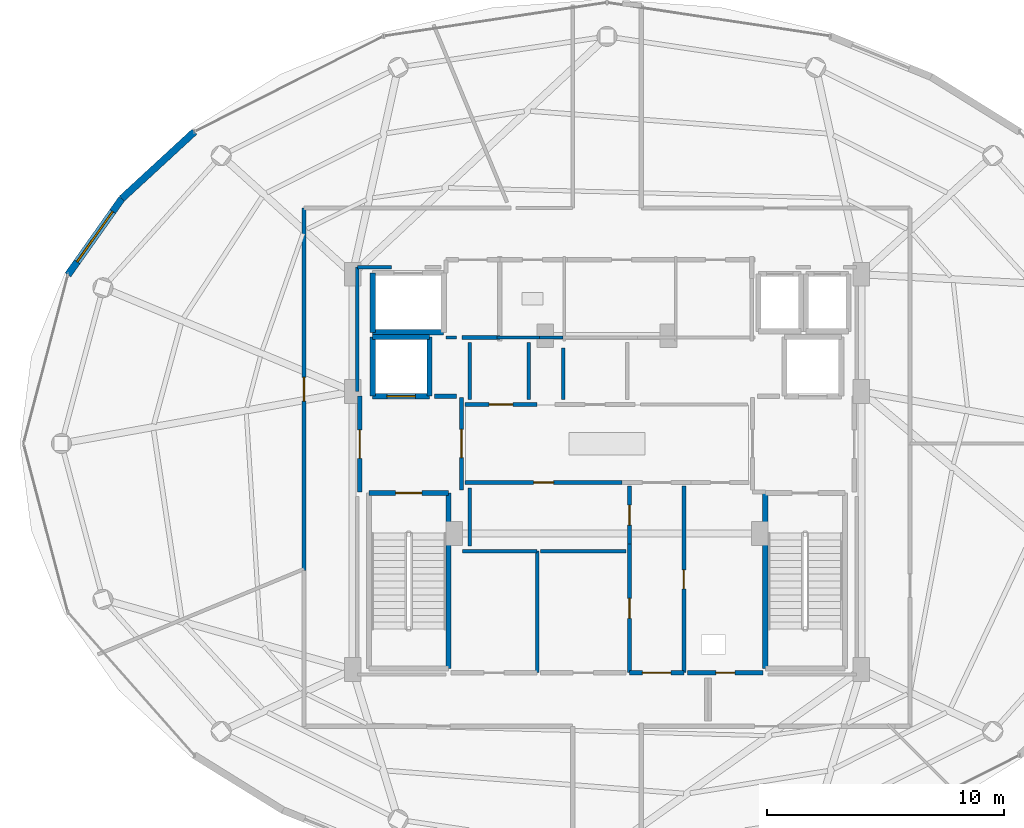
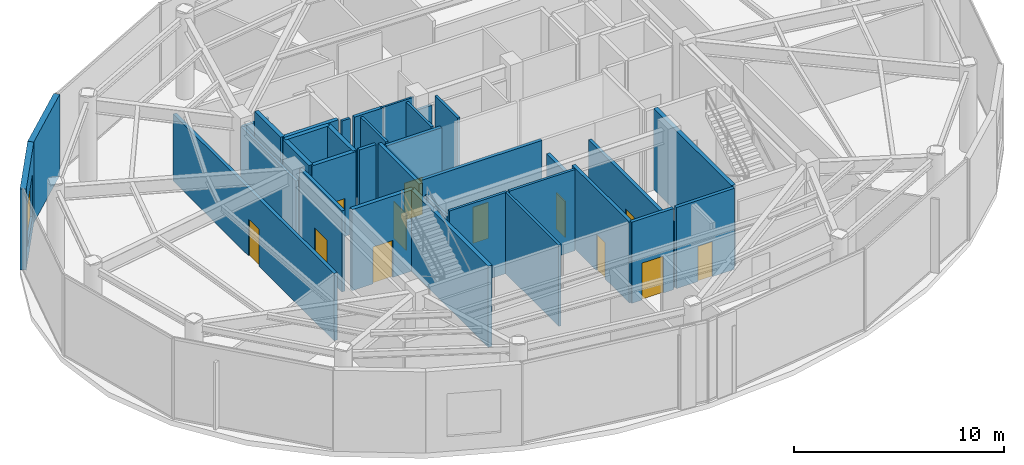
# One storey, part 20 of 24: 35 walls, 12 doors, 1 window, 13 openings.
"""IFC4 building model written with IfcOpenShell, lengths in metres."""

from ifc_helpers import new_model, si_unit, direction, frame, frame_2d, origin, place, context, subcontext, project, spatial, rectangle, extrude, material, layer, layer_set, type_object, element, fill, save


model = new_model("IFC4")

# Units and contexts
model_context = context("Model", 3, precision=1e-05, world=origin(), true_north=direction((0.0, 1.0)))
body_context = subcontext(model_context, "Body", "Model", "MODEL_VIEW")
ifc_project = project(units=[si_unit("LENGTHUNIT", "METRE"), si_unit("AREAUNIT", "SQUARE_METRE"), si_unit("VOLUMEUNIT", "CUBIC_METRE"), si_unit("PLANEANGLEUNIT", "RADIAN"), si_unit("MASSUNIT", "GRAM", prefix="KILO")], contexts=[model_context])

# Site, building, storey
site_placement = place(None, origin())
site = spatial("IfcSite", under=ifc_project, at=site_placement, CompositionType="ELEMENT")
building_placement = place(site_placement, origin())
building = spatial("IfcBuilding", under=site, at=building_placement, Name="Vorneva Point Tower", CompositionType="ELEMENT")
storey_placement = place(building_placement, frame((0.0, 0.0, 290.39990234375)))
storey = spatial("IfcBuildingStorey", under=building, at=storey_placement, Name="L78", CompositionType="ELEMENT", Elevation=290.39990234375)

# Wall, opening, door
ifc_material_1 = material(Name="Concrete B60 (C50/60)", Category="concrete")
ifc_layer_1 = layer(ifc_material_1, 0.35009765625)
ifc_layer_set_1 = layer_set([ifc_layer_1], Name="Concrete B60 (C50/60)")
wall_type_1 = type_object("IfcWallType", Name="WL-CORE-350", PredefinedType="SHEAR", material=ifc_layer_set_1)
wall_1_placement = place(storey_placement, frame((28.10009765625, 28.0, 0.0), z_axis=(0.0, 0.0, 1.0), x_axis=(1.0, 0.0, 0.0)))
wall_1 = element("IfcWall", 1, at=wall_1_placement, inside=storey, type_object=wall_type_1, Name="L78 Lift FFL1 Shaft Wall -Y", PredefinedType="SHEAR", context=body_context, shape_type="SweptSolid", body=[
    extrude(rectangle(XDim=2.39990234375, YDim=0.219970703125, at=frame_2d((1.199951171875, 0.0))), origin(), (0.0, 0.0, 1.0), 4.72021484375),
])
opening_1_placement = place(wall_1_placement, frame((0.60009765625, 0.0, 0.0)))
opening_1 = element("IfcOpeningElement", 2, at=opening_1_placement, cuts=wall_1, Name="Opening LD-02", PredefinedType="OPENING", context=body_context, shape_type="SweptSolid", body=[
    extrude(rectangle(XDim=1.199951171875, YDim=2.199951171875, at=frame_2d((0.60009765625, 1.10009765625))), frame((0.0, 0.125, 0.0), z_axis=(0.0, -1.0, 0.0), x_axis=(1.0, 0.0, 0.0)), (0.0, 0.0, 1.0), 0.249755859375),
])
ifc_material_2 = material(Name="Brushed stainless steel S304", Category="steel")
door_type_1 = type_object("IfcDoorType", Name="LD-FIRE-1200", OperationType="SLIDING_TO_LEFT", PredefinedType="DOOR", material=ifc_material_2)
door_1_placement = place(opening_1_placement, origin())
door_1 = element("IfcDoor", 3, at=door_1_placement, inside=storey, type_object=door_type_1, Name="L78 Lift FFL1 Sliding Landing Door", OperationType="SLIDING_TO_LEFT", OverallHeight=2.199951171875, OverallWidth=1.199951171875, PredefinedType="DOOR", context=body_context, shape_type="SweptSolid", body=[
    extrude(rectangle(XDim=1.199951171875, YDim=2.199951171875, at=frame_2d((0.60009765625, 1.10009765625))), frame((0.0, 0.02490234375, 0.0), z_axis=(0.0, -1.0, 0.0), x_axis=(1.0, 0.0, 0.0)), (0.0, 0.0, 1.0), 0.050048828125),
])
fill(opening_1, door_1)

# Walls
wall_2_placement = place(storey_placement, frame((30.5, 28.0, 0.0), z_axis=(0.0, 0.0, 1.0), x_axis=(0.0, 1.0, 0.0)))
element("IfcWall", 4, at=wall_2_placement, inside=storey, type_object=wall_type_1, Name="L78 Lift FFL1 Shaft Wall +X", PredefinedType="SHEAR", context=body_context, shape_type="SweptSolid", body=[
    extrude(rectangle(XDim=2.5, YDim=0.219970703125, at=frame_2d((1.25, 0.0))), origin(), (0.0, 0.0, 1.0), 4.72021484375),
])
wall_3_placement = place(storey_placement, frame((30.5, 30.5, 0.0), z_axis=(0.0, 0.0, 1.0), x_axis=(-1.0, 0.0, 0.0)))
element("IfcWall", 5, at=wall_3_placement, inside=storey, type_object=wall_type_1, Name="L78 Lift FFL1 Shaft Wall +Y", PredefinedType="SHEAR", context=body_context, shape_type="SweptSolid", body=[
    extrude(rectangle(XDim=2.39990234375, YDim=0.219970703125, at=frame_2d((1.199951171875, 0.0))), origin(), (0.0, 0.0, 1.0), 4.72021484375),
])
wall_4_placement = place(storey_placement, frame((28.10009765625, 30.5, 0.0), z_axis=(0.0, 0.0, 1.0), x_axis=(0.0, -1.0, 0.0)))
element("IfcWall", 6, at=wall_4_placement, inside=storey, type_object=wall_type_1, Name="L78 Lift FFL1 Shaft Wall -X", PredefinedType="SHEAR", context=body_context, shape_type="SweptSolid", body=[
    extrude(rectangle(XDim=2.5, YDim=0.219970703125, at=frame_2d((1.25, 0.0))), origin(), (0.0, 0.0, 1.0), 4.72021484375),
])
ifc_material_3 = material(Name="Precast concrete B50 (C40/50)", Category="concrete")
ifc_layer_2 = layer(ifc_material_3, 0.300048828125)
ifc_layer_set_2 = layer_set([ifc_layer_2], Name="Precast concrete B50 (C40/50)")
wall_type_2 = type_object("IfcWallType", Name="WL-EXT-300", PredefinedType="STANDARD", material=ifc_layer_set_2)
wall_5_placement = place(storey_placement, frame((20.56982421875, 39.17333984375, 0.0), z_axis=(0.0, 0.0, 1.0), x_axis=(-0.735595808164, -0.677420701641, 0.0)))
element("IfcWall", 7, at=wall_5_placement, inside=storey, type_object=wall_type_2, Name="L78 Pale-Metal Facade Spandrel Wall 07.1", PredefinedType="STANDARD", context=body_context, shape_type="SweptSolid", body=[
    extrude(rectangle(XDim=4.167236328125, YDim=0.300048828125, at=frame_2d((2.08349609375, 0.0))), origin(), (0.0, 0.0, 1.0), 4.72021484375),
])

# Wall, opening, window
wall_6_placement = place(storey_placement, frame((17.50439453125, 36.350341796875, 0.0), z_axis=(0.0, 0.0, 1.0), x_axis=(-0.577438563223, -0.816434140457, 0.0)))
wall_6 = element("IfcWall", 8, at=wall_6_placement, inside=storey, type_object=wall_type_2, Name="L78 Pale-Metal Facade Spandrel Wall 07.2", PredefinedType="STANDARD", context=body_context, shape_type="SweptSolid", body=[
    extrude(rectangle(XDim=3.945068359375, YDim=0.300048828125, at=frame_2d((1.97265625, 0.0))), origin(), (0.0, 0.0, 1.0), 4.72021484375),
])
opening_2_placement = place(wall_6_placement, frame((0.672607421875, 0.0, 0.85009765625)))
opening_2 = element("IfcOpeningElement", 9, at=opening_2_placement, cuts=wall_6, Name="Opening W-06", PredefinedType="OPENING", context=body_context, shape_type="SweptSolid", body=[
    extrude(rectangle(XDim=2.60009765625, YDim=2.5, at=frame_2d((1.300048828125, 1.25))), frame((0.0, 0.1650390625, 0.0), z_axis=(0.0, -1.0, 0.0), x_axis=(1.0, 0.0, 0.0)), (0.0, 0.0, 1.0), 0.329833984375),
])
ifc_material_4 = material(Name="Double low-e laminated glass IGU", Category="glass")
window_type = type_object("IfcWindowType", Name="WN-OBS-2600", PartitioningType="SINGLE_PANEL", PredefinedType="WINDOW", material=ifc_material_4)
window_placement = place(opening_2_placement, origin())
window = element("IfcWindow", 10, at=window_placement, inside=storey, type_object=window_type, Name="L78 Facade Window 07", OverallHeight=2.5, OverallWidth=2.60009765625, PartitioningType="SINGLE_PANEL", PredefinedType="WINDOW", context=body_context, shape_type="SweptSolid", body=[
    extrude(rectangle(XDim=2.60009765625, YDim=2.5, at=frame_2d((1.300048828125, 1.25))), frame((0.0, 0.030029296875, 0.0), z_axis=(0.0, -1.0, 0.0), x_axis=(1.0, 0.0, 0.0)), (0.0, 0.0, 1.0), 0.06005859375),
])
fill(opening_2, window)

# Walls
ifc_material_5 = material(Name="Fire-rated acoustic gypsum stud partition", Category="gypsum")
ifc_layer_3 = layer(ifc_material_5, 0.110107421875)
ifc_layer_set_3 = layer_set([ifc_layer_3], Name="Fire-rated acoustic gypsum stud partition")
wall_type_3 = type_object("IfcWallType", Name="WL-PART-110", PredefinedType="PARTITIONING", material=ifc_layer_set_3)
wall_7_placement = place(storey_placement, frame((33.360107421875, 30.47998046875, 0.0), z_axis=(0.0, 0.0, 1.0), x_axis=(1.0, 0.0, 0.0)))
element("IfcWall", 11, at=wall_7_placement, inside=storey, type_object=wall_type_3, Name="L78 Interior Partition 021", PredefinedType="PARTITIONING", context=body_context, shape_type="SweptSolid", body=[
    extrude(rectangle(XDim=1.809814453125, YDim=0.110107421875, at=frame_2d((0.90478515625, 0.0))), origin(), (0.0, 0.0, 1.0), 4.72021484375),
])
ifc_layer_4 = layer(ifc_material_5, 0.139892578125)
ifc_layer_set_4 = layer_set([ifc_layer_4], Name="Fire-rated acoustic gypsum stud partition")
wall_type_4 = type_object("IfcWallType", Name="WL-PART-140", PredefinedType="PARTITIONING", material=ifc_layer_set_4)
wall_8_placement = place(storey_placement, frame((35.050048828125, 16.320068359375, 0.0), z_axis=(0.0, 0.0, 1.0), x_axis=(0.0, 1.0, 0.0)))
element("IfcWall", 12, at=wall_8_placement, inside=storey, type_object=wall_type_4, Name="L78 Interior Partition 028", PredefinedType="PARTITIONING", context=body_context, shape_type="SweptSolid", body=[
    extrude(rectangle(XDim=5.1298828125, YDim=0.139892578125, at=frame_2d((2.56494140625, 0.0))), origin(), (0.0, 0.0, 1.0), 4.72021484375),
])
wall_9_placement = place(storey_placement, frame((35.050048828125, 21.449951171875, 0.0), z_axis=(0.0, 0.0, 1.0), x_axis=(-1.0, 0.0, 0.0)))
element("IfcWall", 13, at=wall_9_placement, inside=storey, type_object=wall_type_4, Name="L78 Interior Partition 029", PredefinedType="PARTITIONING", context=body_context, shape_type="SweptSolid", body=[
    extrude(rectangle(XDim=3.155029296875, YDim=0.139892578125, at=frame_2d((1.57763671875, 0.0))), origin(), (0.0, 0.0, 1.0), 4.72021484375),
])
wall_10_placement = place(storey_placement, frame((38.800048828125, 21.449951171875, 0.0), z_axis=(0.0, 0.0, 1.0), x_axis=(-1.0, 0.0, 0.0)))
element("IfcWall", 14, at=wall_10_placement, inside=storey, type_object=wall_type_4, Name="L78 Interior Partition 031", PredefinedType="PARTITIONING", context=body_context, shape_type="SweptSolid", body=[
    extrude(rectangle(XDim=3.60009765625, YDim=0.139892578125, at=frame_2d((1.800048828125, 0.0))), origin(), (0.0, 0.0, 1.0), 4.72021484375),
])
wall_11_placement = place(storey_placement, frame((31.199951171875, 30.47998046875, 0.0), z_axis=(0.0, 0.0, 1.0), x_axis=(1.0, 0.0, 0.0)))
element("IfcWall", 15, at=wall_11_placement, inside=storey, type_object=wall_type_4, Name="L78 Interior Closure Partition 053", PredefinedType="PARTITIONING", context=body_context, shape_type="SweptSolid", body=[
    extrude(rectangle(XDim=0.449951171875, YDim=0.139892578125, at=frame_2d((0.22509765625, 0.0))), origin(), (0.0, 0.0, 1.0), 4.72021484375),
])
wall_12_placement = place(storey_placement, frame((35.139892578125, 30.47998046875, 0.0), z_axis=(0.0, 0.0, 1.0), x_axis=(1.0, 0.0, 0.0)))
element("IfcWall", 16, at=wall_12_placement, inside=storey, type_object=wall_type_4, Name="L78 Interior Closure Partition 055", PredefinedType="PARTITIONING", context=body_context, shape_type="SweptSolid", body=[
    extrude(rectangle(XDim=1.0, YDim=0.139892578125, at=frame_2d((0.5, 0.0))), origin(), (0.0, 0.0, 1.0), 3.912109375),
])
for number, where, z_axis, x_axis, name in (
    (17, (32.199951171875, 30.260009765625, 0.0), (0.0, 0.0, 1.0), (0.0, -1.0, 0.0), "L78 Interior Closure Partition 059"),
    (18, (34.699951171875, 27.8701171875, 0.0), (0.0, 0.0, 1.0), (0.0, 1.0, 0.0), "L78 Interior Closure Partition 060"),
):
    element("IfcWall", number, at=place(storey_placement, frame(where, z_axis=z_axis, x_axis=x_axis)), inside=storey, type_object=wall_type_4, Name=name, PredefinedType="PARTITIONING", context=body_context, shape_type="SweptSolid", body=[
        extrude(rectangle(XDim=2.389892578125, YDim=0.139892578125, at=frame_2d((1.19482421875, 0.0))), origin(), (0.0, 0.0, 1.0), 4.72021484375),
    ])
wall_13_placement = place(storey_placement, frame((36.14990234375, 30.030029296875, 0.0), z_axis=(0.0, 0.0, 1.0), x_axis=(0.0, -1.0, 0.0)))
element("IfcWall", 19, at=wall_13_placement, inside=storey, type_object=wall_type_4, Name="L78 Interior Closure Partition 061", PredefinedType="PARTITIONING", context=body_context, shape_type="SweptSolid", body=[
    extrude(rectangle(XDim=2.159912109375, YDim=0.139892578125, at=frame_2d((1.080078125, 0.0))), origin(), (0.0, 0.0, 1.0), 4.72021484375),
])
wall_14_placement = place(storey_placement, frame((32.199951171875, 24.1298828125, 0.0), z_axis=(0.0, 0.0, 1.0), x_axis=(0.0, -1.0, 0.0)))
element("IfcWall", 20, at=wall_14_placement, inside=storey, type_object=wall_type_4, Name="L78 Interior Closure Partition 063", PredefinedType="PARTITIONING", context=body_context, shape_type="SweptSolid", body=[
    extrude(rectangle(XDim=2.4599609375, YDim=0.139892578125, at=frame_2d((1.22998046875, 0.0))), origin(), (0.0, 0.0, 1.0), 3.912109375),
])
wall_15_placement = place(storey_placement, frame((28.89404296875, 33.449951171875, 0.0), z_axis=(0.0, 0.0, 1.0), x_axis=(-1.0, 0.0, 0.0)))
element("IfcWall", 21, at=wall_15_placement, inside=storey, type_object=wall_type_4, Name="L78 Interior Closure Partition 073", PredefinedType="PARTITIONING", context=body_context, shape_type="SweptSolid", body=[
    extrude(rectangle(XDim=1.444091796875, YDim=0.139892578125, at=frame_2d((0.72216796875, 0.0))), origin(), (0.0, 0.0, 1.0), 3.912109375),
])
wall_16_placement = place(storey_placement, frame((27.449951171875, 33.449951171875, 0.0), z_axis=(0.0, 0.0, 1.0), x_axis=(0.0, -1.0, 0.0)))
element("IfcWall", 22, at=wall_16_placement, inside=storey, type_object=wall_type_4, Name="L78 Interior Closure Partition 074", PredefinedType="PARTITIONING", context=body_context, shape_type="SweptSolid", body=[
    extrude(rectangle(XDim=5.25390625, YDim=0.139892578125, at=frame_2d((2.626953125, 0.0))), origin(), (0.0, 0.0, 1.0), 3.912109375),
])

# Wall, opening, door
ifc_material_6 = material(Name="Autoclaved aerated concrete blockwork", Category="masonry")
ifc_layer_5 = layer(ifc_material_6, 0.179931640625)
ifc_layer_set_5 = layer_set([ifc_layer_5], Name="Autoclaved aerated concrete blockwork")
wall_type_5 = type_object("IfcWallType", Name="WL-PART-180", PredefinedType="PARTITIONING", material=ifc_layer_set_5)
wall_17_placement = place(storey_placement, frame((31.85009765625, 24.044921875, 0.0), z_axis=(0.0, 0.0, 1.0), x_axis=(0.0, 1.0, 0.0)))
wall_17 = element("IfcWall", 23, at=wall_17_placement, inside=storey, type_object=wall_type_5, Name="L78 Interior Partition 001", PredefinedType="PARTITIONING", context=body_context, shape_type="SweptSolid", body=[
    extrude(rectangle(XDim=3.91015625, YDim=0.179931640625, at=frame_2d((1.955078125, 0.0))), origin(), (0.0, 0.0, 1.0), 4.72021484375),
])
opening_3_placement = place(wall_17_placement, frame((1.35498046875, 0.0, 0.0)))
opening_3 = element("IfcOpeningElement", 24, at=opening_3_placement, cuts=wall_17, Name="Opening FD-02", PredefinedType="OPENING", context=body_context, shape_type="SweptSolid", body=[
    extrude(rectangle(XDim=1.199951171875, YDim=2.14990234375, at=frame_2d((0.60009765625, 1.074951171875))), frame((0.0, 0.10498046875, 0.0), z_axis=(0.0, -1.0, 0.0), x_axis=(1.0, 0.0, 0.0)), (0.0, 0.0, 1.0), 0.209716796875),
])
ifc_material_7 = material(Name="Fire-rated powder-coated steel", Category="steel")
door_type_2 = type_object("IfcDoorType", Name="DR-FFL-1200", OperationType="NOTDEFINED", PredefinedType="DOOR", material=ifc_material_7)
door_2_placement = place(opening_3_placement, origin())
door_2 = element("IfcDoor", 25, at=door_2_placement, inside=storey, type_object=door_type_2, Name="L78 Door West Firefighting Lobby / Central Lift Lobby", OperationType="SINGLE_SWING_LEFT", OverallHeight=2.14990234375, OverallWidth=1.199951171875, PredefinedType="DOOR", context=body_context, shape_type="SweptSolid", body=[
    extrude(rectangle(XDim=1.199951171875, YDim=2.14990234375, at=frame_2d((0.60009765625, 1.074951171875))), frame((0.0, 0.02490234375, 0.0), z_axis=(0.0, -1.0, 0.0), x_axis=(1.0, 0.0, 0.0)), (0.0, 0.0, 1.0), 0.050048828125),
])
fill(opening_3, door_2)

wall_18_placement = place(storey_placement, frame((27.550048828125, 28.0, 0.0), z_axis=(0.0, 0.0, 1.0), x_axis=(0.0, -1.0, 0.0)))
wall_18 = element("IfcWall", 26, at=wall_18_placement, inside=storey, type_object=wall_type_5, Name="L78 Interior Partition 002", PredefinedType="PARTITIONING", context=body_context, shape_type="SweptSolid", body=[
    extrude(rectangle(XDim=4.050048828125, YDim=0.179931640625, at=frame_2d((2.02490234375, 0.0))), origin(), (0.0, 0.0, 1.0), 4.72021484375),
])
opening_4_placement = place(wall_18_placement, frame((1.425048828125, 0.0, 0.0)))
opening_4 = element("IfcOpeningElement", 27, at=opening_4_placement, cuts=wall_18, Name="Opening FD-02", PredefinedType="OPENING", context=body_context, shape_type="SweptSolid", body=[
    extrude(rectangle(XDim=1.199951171875, YDim=2.14990234375, at=frame_2d((0.60009765625, 1.074951171875))), frame((0.0, 0.10498046875, 0.0), z_axis=(0.0, -1.0, 0.0), x_axis=(1.0, 0.0, 0.0)), (0.0, 0.0, 1.0), 0.209716796875),
])
door_3_placement = place(opening_4_placement, origin())
door_3 = element("IfcDoor", 28, at=door_3_placement, inside=storey, type_object=door_type_2, Name="L78 Door West Firefighting Lobby / L78 Circulation Corridor", OperationType="SINGLE_SWING_RIGHT", OverallHeight=2.14990234375, OverallWidth=1.199951171875, PredefinedType="DOOR", context=body_context, shape_type="SweptSolid", body=[
    extrude(rectangle(XDim=1.199951171875, YDim=2.14990234375, at=frame_2d((0.60009765625, 1.074951171875))), frame((0.0, 0.02490234375, 0.0), z_axis=(0.0, -1.0, 0.0), x_axis=(1.0, 0.0, 0.0)), (0.0, 0.0, 1.0), 0.050048828125),
])
fill(opening_4, door_3)

# Wall
wall_19_placement = place(storey_placement, frame((31.8701171875, 30.47998046875, 0.0), z_axis=(0.0, 0.0, 1.0), x_axis=(1.0, 0.0, 0.0)))
element("IfcWall", 29, at=wall_19_placement, inside=storey, type_object=wall_type_5, Name="L78 Interior Partition 007", PredefinedType="PARTITIONING", context=body_context, shape_type="SweptSolid", body=[
    extrude(rectangle(XDim=1.599853515625, YDim=0.179931640625, at=frame_2d((0.7998046875, 0.0))), origin(), (0.0, 0.0, 1.0), 4.72021484375),
])

# Wall, opening, door
wall_20_placement = place(storey_placement, frame((35.0400390625, 27.64990234375, 0.0), z_axis=(0.0, 0.0, 1.0), x_axis=(-1.0, 0.0, 0.0)))
wall_20 = element("IfcWall", 30, at=wall_20_placement, inside=storey, type_object=wall_type_5, Name="L78 Interior Partition 012", PredefinedType="PARTITIONING", context=body_context, shape_type="SweptSolid", body=[
    extrude(rectangle(XDim=3.0400390625, YDim=0.179931640625, at=frame_2d((1.52001953125, 0.0))), origin(), (0.0, 0.0, 1.0), 4.72021484375),
])
opening_5_placement = place(wall_20_placement, frame((1.02001953125, 0.0, 0.0)))
opening_5 = element("IfcOpeningElement", 31, at=opening_5_placement, cuts=wall_20, Name="Opening UD-01", PredefinedType="OPENING", context=body_context, shape_type="SweptSolid", body=[
    extrude(rectangle(XDim=1.0, YDim=2.14990234375, at=frame_2d((0.5, 1.074951171875))), frame((0.0, 0.10498046875, 0.0), z_axis=(0.0, -1.0, 0.0), x_axis=(1.0, 0.0, 0.0)), (0.0, 0.0, 1.0), 0.209716796875),
])
ifc_material_8 = material(Name="Engineered oak fire-rated door leaf", Category="wood")
door_type_3 = type_object("IfcDoorType", Name="DR-UNIT-1000", OperationType="NOTDEFINED", PredefinedType="DOOR", material=ifc_material_8)
door_4_placement = place(opening_5_placement, origin())
door_4 = element("IfcDoor", 32, at=door_4_placement, inside=storey, type_object=door_type_3, Name="L78 Door Central Lift Lobby / Reclaimed Core Lounge", OperationType="SINGLE_SWING_RIGHT", OverallHeight=2.14990234375, OverallWidth=1.0, PredefinedType="DOOR", context=body_context, shape_type="SweptSolid", body=[
    extrude(rectangle(XDim=1.0, YDim=2.14990234375, at=frame_2d((0.5, 1.074951171875))), frame((0.0, 0.02490234375, 0.0), z_axis=(0.0, -1.0, 0.0), x_axis=(1.0, 0.0, 0.0)), (0.0, 0.0, 1.0), 0.050048828125),
])
fill(opening_5, door_4)

wall_21_placement = place(storey_placement, frame((32.0, 24.35009765625, 0.0), z_axis=(0.0, 0.0, 1.0), x_axis=(1.0, 0.0, 0.0)))
wall_21 = element("IfcWall", 33, at=wall_21_placement, inside=storey, type_object=wall_type_5, Name="L78 Interior Partition 014", PredefinedType="PARTITIONING", context=body_context, shape_type="SweptSolid", body=[
    extrude(rectangle(XDim=6.64501953125, YDim=0.179931640625, at=frame_2d((3.322509765625, 0.0))), origin(), (0.0, 0.0, 1.0), 4.72021484375),
])
opening_6_placement = place(wall_21_placement, frame((2.8974609375, 0.0, 0.0)))
opening_6 = element("IfcOpeningElement", 34, at=opening_6_placement, cuts=wall_21, Name="Opening ID-02", PredefinedType="OPENING", context=body_context, shape_type="SweptSolid", body=[
    extrude(rectangle(XDim=0.85009765625, YDim=2.10009765625, at=frame_2d((0.425048828125, 1.050048828125))), frame((0.0, 0.10498046875, 0.0), z_axis=(0.0, -1.0, 0.0), x_axis=(1.0, 0.0, 0.0)), (0.0, 0.0, 1.0), 0.209716796875),
])
door_type_4 = type_object("IfcDoorType", Name="DR-BATH-850", OperationType="NOTDEFINED", PredefinedType="DOOR", material=ifc_material_8)
door_5_placement = place(opening_6_placement, origin())
door_5 = element("IfcDoor", 35, at=door_5_placement, inside=storey, type_object=door_type_4, Name="L78 Door Central Lift Lobby / Reclaimed High-Zone Wine Vault", OperationType="SINGLE_SWING_RIGHT", OverallHeight=2.10009765625, OverallWidth=0.85009765625, PredefinedType="DOOR", context=body_context, shape_type="SweptSolid", body=[
    extrude(rectangle(XDim=0.85009765625, YDim=2.10009765625, at=frame_2d((0.425048828125, 1.050048828125))), frame((0.0, 0.02490234375, 0.0), z_axis=(0.0, -1.0, 0.0), x_axis=(1.0, 0.0, 0.0)), (0.0, 0.0, 1.0), 0.050048828125),
])
fill(opening_6, door_5)

wall_22_placement = place(storey_placement, frame((41.25, 16.320068359375, 0.0), z_axis=(0.0, 0.0, 1.0), x_axis=(0.0, 1.0, 0.0)))
wall_22 = element("IfcWall", 36, at=wall_22_placement, inside=storey, type_object=wall_type_5, Name="L78 Interior Partition 015", PredefinedType="PARTITIONING", context=body_context, shape_type="SweptSolid", body=[
    extrude(rectangle(XDim=7.8798828125, YDim=0.179931640625, at=frame_2d((3.93994140625, 0.0))), origin(), (0.0, 0.0, 1.0), 3.912109375),
])
opening_7_placement = place(wall_22_placement, frame((3.5400390625, 0.0, 0.0)))
opening_7 = element("IfcOpeningElement", 37, at=opening_7_placement, cuts=wall_22, Name="Opening RD-01", PredefinedType="OPENING", context=body_context, shape_type="SweptSolid", body=[
    extrude(rectangle(XDim=0.800048828125, YDim=2.050048828125, at=frame_2d((0.39990234375, 1.02490234375))), frame((0.0, 0.10498046875, 0.0), z_axis=(0.0, -1.0, 0.0), x_axis=(1.0, 0.0, 0.0)), (0.0, 0.0, 1.0), 0.209716796875),
])
door_type_5 = type_object("IfcDoorType", Name="DR-RSR-800", OperationType="SINGLE_SWING_LEFT", PredefinedType="DOOR", material=ifc_material_7)
door_6_placement = place(opening_7_placement, origin())
door_6 = element("IfcDoor", 38, at=door_6_placement, inside=storey, type_object=door_type_5, Name="L78 Door Core Service Lobby / Electrical Riser", OperationType="SINGLE_SWING_LEFT", OverallHeight=2.050048828125, OverallWidth=0.800048828125, PredefinedType="DOOR", context=body_context, shape_type="SweptSolid", body=[
    extrude(rectangle(XDim=0.800048828125, YDim=2.050048828125, at=frame_2d((0.39990234375, 1.02490234375))), frame((0.0, 0.02490234375, 0.0), z_axis=(0.0, -1.0, 0.0), x_axis=(1.0, 0.0, 0.0)), (0.0, 0.0, 1.0), 0.050048828125),
])
fill(opening_7, door_6)

wall_23_placement = place(storey_placement, frame((38.949951171875, 21.7548828125, 0.0), z_axis=(0.0, 0.0, 1.0), x_axis=(0.0, -1.0, 0.0)))
wall_23 = element("IfcWall", 39, at=wall_23_placement, inside=storey, type_object=wall_type_5, Name="L78 Interior Partition 016", PredefinedType="PARTITIONING", context=body_context, shape_type="SweptSolid", body=[
    extrude(rectangle(XDim=5.434814453125, YDim=0.179931640625, at=frame_2d((2.71728515625, 0.0))), origin(), (0.0, 0.0, 1.0), 4.72021484375),
])
opening_8_placement = place(wall_23_placement, frame((2.29248046875, 0.0, 0.0)))
opening_8 = element("IfcOpeningElement", 40, at=opening_8_placement, cuts=wall_23, Name="Opening ID-02", PredefinedType="OPENING", context=body_context, shape_type="SweptSolid", body=[
    extrude(rectangle(XDim=0.85009765625, YDim=2.10009765625, at=frame_2d((0.425048828125, 1.050048828125))), frame((0.0, 0.10498046875, 0.0), z_axis=(0.0, -1.0, 0.0), x_axis=(1.0, 0.0, 0.0)), (0.0, 0.0, 1.0), 0.209716796875),
])
door_7_placement = place(opening_8_placement, origin())
door_7 = element("IfcDoor", 41, at=door_7_placement, inside=storey, type_object=door_type_4, Name="L78 Door Core Service Lobby / Tenant Equipment Store", OperationType="SINGLE_SWING_RIGHT", OverallHeight=2.10009765625, OverallWidth=0.85009765625, PredefinedType="DOOR", context=body_context, shape_type="SweptSolid", body=[
    extrude(rectangle(XDim=0.85009765625, YDim=2.10009765625, at=frame_2d((0.425048828125, 1.050048828125))), frame((0.0, 0.02490234375, 0.0), z_axis=(0.0, -1.0, 0.0), x_axis=(1.0, 0.0, 0.0)), (0.0, 0.0, 1.0), 0.050048828125),
])
fill(opening_8, door_7)

wall_24_placement = place(storey_placement, frame((38.949951171875, 24.199951171875, 0.0), z_axis=(0.0, 0.0, 1.0), x_axis=(0.0, -1.0, 0.0)))
wall_24 = element("IfcWall", 42, at=wall_24_placement, inside=storey, type_object=wall_type_5, Name="L78 Interior Partition 017", PredefinedType="PARTITIONING", context=body_context, shape_type="SweptSolid", body=[
    extrude(rectangle(XDim=2.445068359375, YDim=0.179931640625, at=frame_2d((1.22265625, 0.0))), origin(), (0.0, 0.0, 1.0), 3.912109375),
])
opening_9_placement = place(wall_24_placement, frame((0.797607421875, 0.0, 0.0)))
opening_9 = element("IfcOpeningElement", 43, at=opening_9_placement, cuts=wall_24, Name="Opening ID-02", PredefinedType="OPENING", context=body_context, shape_type="SweptSolid", body=[
    extrude(rectangle(XDim=0.85009765625, YDim=2.10009765625, at=frame_2d((0.425048828125, 1.050048828125))), frame((0.0, 0.10498046875, 0.0), z_axis=(0.0, -1.0, 0.0), x_axis=(1.0, 0.0, 0.0)), (0.0, 0.0, 1.0), 0.209716796875),
])
door_8_placement = place(opening_9_placement, origin())
door_8 = element("IfcDoor", 44, at=door_8_placement, inside=storey, type_object=door_type_4, Name="L78 Door Core Service Lobby / Reclaimed High-Zone Wine Vault", OperationType="SINGLE_SWING_LEFT", OverallHeight=2.10009765625, OverallWidth=0.85009765625, PredefinedType="DOOR", context=body_context, shape_type="SweptSolid", body=[
    extrude(rectangle(XDim=0.85009765625, YDim=2.10009765625, at=frame_2d((0.425048828125, 1.050048828125))), frame((0.0, 0.02490234375, 0.0), z_axis=(0.0, -1.0, 0.0), x_axis=(1.0, 0.0, 0.0)), (0.0, 0.0, 1.0), 0.050048828125),
])
fill(opening_9, door_8)

wall_25_placement = place(storey_placement, frame((38.949951171875, 16.320068359375, 0.0), z_axis=(0.0, 0.0, 1.0), x_axis=(1.0, 0.0, 0.0)))
wall_25 = element("IfcWall", 45, at=wall_25_placement, inside=storey, type_object=wall_type_5, Name="L78 Interior Partition 018", PredefinedType="PARTITIONING", context=body_context, shape_type="SweptSolid", body=[
    extrude(rectangle(XDim=2.300048828125, YDim=0.179931640625, at=frame_2d((1.14990234375, 0.0))), origin(), (0.0, 0.0, 1.0), 4.72021484375),
])
opening_10_placement = place(wall_25_placement, frame((0.550048828125, 0.0, 0.0)))
opening_10 = element("IfcOpeningElement", 46, at=opening_10_placement, cuts=wall_25, Name="Opening FD-02", PredefinedType="OPENING", context=body_context, shape_type="SweptSolid", body=[
    extrude(rectangle(XDim=1.199951171875, YDim=2.14990234375, at=frame_2d((0.60009765625, 1.074951171875))), frame((0.0, 0.10498046875, 0.0), z_axis=(0.0, -1.0, 0.0), x_axis=(1.0, 0.0, 0.0)), (0.0, 0.0, 1.0), 0.209716796875),
])
door_9_placement = place(opening_10_placement, origin())
door_9 = element("IfcDoor", 47, at=door_9_placement, inside=storey, type_object=door_type_2, Name="L78 Door Core Service Lobby / L78 Circulation Corridor", OperationType="SINGLE_SWING_RIGHT", OverallHeight=2.14990234375, OverallWidth=1.199951171875, PredefinedType="DOOR", context=body_context, shape_type="SweptSolid", body=[
    extrude(rectangle(XDim=1.199951171875, YDim=2.14990234375, at=frame_2d((0.60009765625, 1.074951171875))), frame((0.0, 0.02490234375, 0.0), z_axis=(0.0, -1.0, 0.0), x_axis=(1.0, 0.0, 0.0)), (0.0, 0.0, 1.0), 0.050048828125),
])
fill(opening_10, door_9)

wall_26_placement = place(storey_placement, frame((41.39990234375, 16.320068359375, 0.0), z_axis=(0.0, 0.0, 1.0), x_axis=(1.0, 0.0, 0.0)))
wall_26 = element("IfcWall", 48, at=wall_26_placement, inside=storey, type_object=wall_type_5, Name="L78 Interior Partition 019", PredefinedType="PARTITIONING", context=body_context, shape_type="SweptSolid", body=[
    extrude(rectangle(XDim=3.2001953125, YDim=0.179931640625, at=frame_2d((1.60009765625, 0.0))), origin(), (0.0, 0.0, 1.0), 4.72021484375),
])
opening_11_placement = place(wall_26_placement, frame((1.199951171875, 0.0, 0.0)))
opening_11 = element("IfcOpeningElement", 49, at=opening_11_placement, cuts=wall_26, Name="Opening RD-01", PredefinedType="OPENING", context=body_context, shape_type="SweptSolid", body=[
    extrude(rectangle(XDim=0.800048828125, YDim=2.050048828125, at=frame_2d((0.39990234375, 1.02490234375))), frame((0.0, 0.10498046875, 0.0), z_axis=(0.0, -1.0, 0.0), x_axis=(1.0, 0.0, 0.0)), (0.0, 0.0, 1.0), 0.209716796875),
])
door_10_placement = place(opening_11_placement, origin())
door_10 = element("IfcDoor", 50, at=door_10_placement, inside=storey, type_object=door_type_5, Name="L78 Door Electrical Riser / L78 Circulation Corridor", OperationType="SINGLE_SWING_LEFT", OverallHeight=2.050048828125, OverallWidth=0.800048828125, PredefinedType="DOOR", context=body_context, shape_type="SweptSolid", body=[
    extrude(rectangle(XDim=0.800048828125, YDim=2.050048828125, at=frame_2d((0.39990234375, 1.02490234375))), frame((0.0, 0.02490234375, 0.0), z_axis=(0.0, -1.0, 0.0), x_axis=(1.0, 0.0, 0.0)), (0.0, 0.0, 1.0), 0.050048828125),
])
fill(opening_11, door_10)

wall_27_placement = place(storey_placement, frame((25.199951171875, 35.949951171875, 0.0), z_axis=(0.0, 0.0, 1.0), x_axis=(0.0, -1.0, 0.0)))
wall_27 = element("IfcWall", 51, at=wall_27_placement, inside=storey, type_object=wall_type_5, Name="L78 Interior Partition 038", PredefinedType="PARTITIONING", context=body_context, shape_type="SweptSolid", body=[
    extrude(rectangle(XDim=15.31689453125, YDim=0.179931640625, at=frame_2d((7.658447265625, 0.0))), origin(), (0.0, 0.0, 1.0), 3.912109375),
])
opening_12_placement = place(wall_27_placement, frame((7.158447265625, 0.0, 0.0)))
opening_12 = element("IfcOpeningElement", 52, at=opening_12_placement, cuts=wall_27, Name="Opening UD-01", PredefinedType="OPENING", context=body_context, shape_type="SweptSolid", body=[
    extrude(rectangle(XDim=1.0, YDim=2.14990234375, at=frame_2d((0.5, 1.074951171875))), frame((0.0, 0.10498046875, 0.0), z_axis=(0.0, -1.0, 0.0), x_axis=(1.0, 0.0, 0.0)), (0.0, 0.0, 1.0), 0.209716796875),
])
door_11_placement = place(opening_12_placement, origin())
door_11 = element("IfcDoor", 53, at=door_11_placement, inside=storey, type_object=door_type_3, Name="L78 Door L78 Circulation Corridor / Panoramic Observation Lounge", OperationType="SINGLE_SWING_RIGHT", OverallHeight=2.14990234375, OverallWidth=1.0, PredefinedType="DOOR", context=body_context, shape_type="SweptSolid", body=[
    extrude(rectangle(XDim=1.0, YDim=2.14990234375, at=frame_2d((0.5, 1.074951171875))), frame((0.0, 0.02490234375, 0.0), z_axis=(0.0, -1.0, 0.0), x_axis=(1.0, 0.0, 0.0)), (0.0, 0.0, 1.0), 0.050048828125),
])
fill(opening_12, door_11)

# Wall
wall_28_placement = place(storey_placement, frame((31.635009765625, 28.0, 0.0), z_axis=(0.0, 0.0, 1.0), x_axis=(-1.0, 0.0, 0.0)))
element("IfcWall", 54, at=wall_28_placement, inside=storey, type_object=wall_type_5, Name="L78 Interior Closure Partition 051", PredefinedType="PARTITIONING", context=body_context, shape_type="SweptSolid", body=[
    extrude(rectangle(XDim=0.9150390625, YDim=0.179931640625, at=frame_2d((0.45751953125, 0.0))), origin(), (0.0, 0.0, 1.0), 4.72021484375),
])

# Wall, opening, door
ifc_material_9 = material(Name="Concrete B50 (C40/50)", Category="concrete")
ifc_layer_6 = layer(ifc_material_9, 0.219970703125)
ifc_layer_set_6 = layer_set([ifc_layer_6], Name="Concrete B50 (C40/50)")
wall_type_6 = type_object("IfcWallType", Name="WL-SHFT-220", PredefinedType="SOLIDWALL", material=ifc_layer_set_6)
wall_29_placement = place(storey_placement, frame((27.93994140625, 23.909912109375, 0.0), z_axis=(0.0, 0.0, 1.0), x_axis=(1.0, 0.0, 0.0)))
wall_29 = element("IfcWall", 55, at=wall_29_placement, inside=storey, type_object=wall_type_6, Name="L78 Exit Stair ST1 Shaft Wall near", PredefinedType="SOLIDWALL", context=body_context, shape_type="SweptSolid", body=[
    extrude(rectangle(XDim=3.3701171875, YDim=0.219970703125, at=frame_2d((1.68505859375, 0.0))), origin(), (0.0, 0.0, 1.0), 4.72021484375),
])
opening_13_placement = place(wall_29_placement, frame((1.135009765625, 0.0, 0.0)))
opening_13 = element("IfcOpeningElement", 56, at=opening_13_placement, cuts=wall_29, Name="Opening FD-01", PredefinedType="OPENING", context=body_context, shape_type="SweptSolid", body=[
    extrude(rectangle(XDim=1.10009765625, YDim=2.14990234375, at=frame_2d((0.550048828125, 1.074951171875))), frame((0.0, 0.125, 0.0), z_axis=(0.0, -1.0, 0.0), x_axis=(1.0, 0.0, 0.0)), (0.0, 0.0, 1.0), 0.249755859375),
])
door_type_6 = type_object("IfcDoorType", Name="DR-STAIR-1100", OperationType="NOTDEFINED", PredefinedType="DOOR", material=ifc_material_7)
door_12_placement = place(opening_13_placement, origin())
door_12 = element("IfcDoor", 57, at=door_12_placement, inside=storey, type_object=door_type_6, Name="L78 Exit Stair ST1 Fire Door", OperationType="SINGLE_SWING_RIGHT", OverallHeight=2.14990234375, OverallWidth=1.10009765625, PredefinedType="DOOR", context=body_context, shape_type="SweptSolid", body=[
    extrude(rectangle(XDim=1.10009765625, YDim=2.14990234375, at=frame_2d((0.550048828125, 1.074951171875))), frame((0.0, 0.02490234375, 0.0), z_axis=(0.0, -1.0, 0.0), x_axis=(1.0, 0.0, 0.0)), (0.0, 0.0, 1.0), 0.050048828125),
])
fill(opening_13, door_12)

# Walls
for number, where, z_axis, x_axis, name in (
    (58, (31.31005859375, 23.909912109375, 0.0), (0.0, 0.0, 1.0), (0.0, -1.0, 0.0), "L78 Exit Stair ST1 Shaft Wall right"),
    (59, (44.68994140625, 16.489990234375, 0.0), (0.0, 0.0, 1.0), (0.0, 1.0, 0.0), "L78 Exit Stair ST2 Shaft Wall left"),
):
    element("IfcWall", number, at=place(storey_placement, frame(where, z_axis=z_axis, x_axis=x_axis)), inside=storey, type_object=wall_type_6, Name=name, PredefinedType="SOLIDWALL", context=body_context, shape_type="SweptSolid", body=[
        extrude(rectangle(XDim=7.419921875, YDim=0.219970703125, at=frame_2d((3.7099609375, 0.0))), origin(), (0.0, 0.0, 1.0), 4.72021484375),
    ])
wall_30_placement = place(storey_placement, frame((28.10009765625, 30.699951171875, 0.0), z_axis=(0.0, 0.0, 1.0), x_axis=(1.0, 0.0, 0.0)))
element("IfcWall", 60, at=wall_30_placement, inside=storey, type_object=wall_type_6, Name="L78 Lift SVL1 Shaft Wall -Y", PredefinedType="SOLIDWALL", context=body_context, shape_type="SweptSolid", body=[
    extrude(rectangle(XDim=3.0, YDim=0.219970703125, at=frame_2d((1.5, 0.0))), origin(), (0.0, 0.0, 1.0), 4.72021484375),
])
wall_31_placement = place(storey_placement, frame((28.10009765625, 33.199951171875, 0.0), z_axis=(0.0, 0.0, 1.0), x_axis=(0.0, -1.0, 0.0)))
element("IfcWall", 61, at=wall_31_placement, inside=storey, type_object=wall_type_6, Name="L78 Lift SVL1 Shaft Wall -X", PredefinedType="SOLIDWALL", context=body_context, shape_type="SweptSolid", body=[
    extrude(rectangle(XDim=2.5, YDim=0.219970703125, at=frame_2d((1.25, 0.0))), origin(), (0.0, 0.0, 1.0), 4.72021484375),
])

save(model, "model.ifc")
